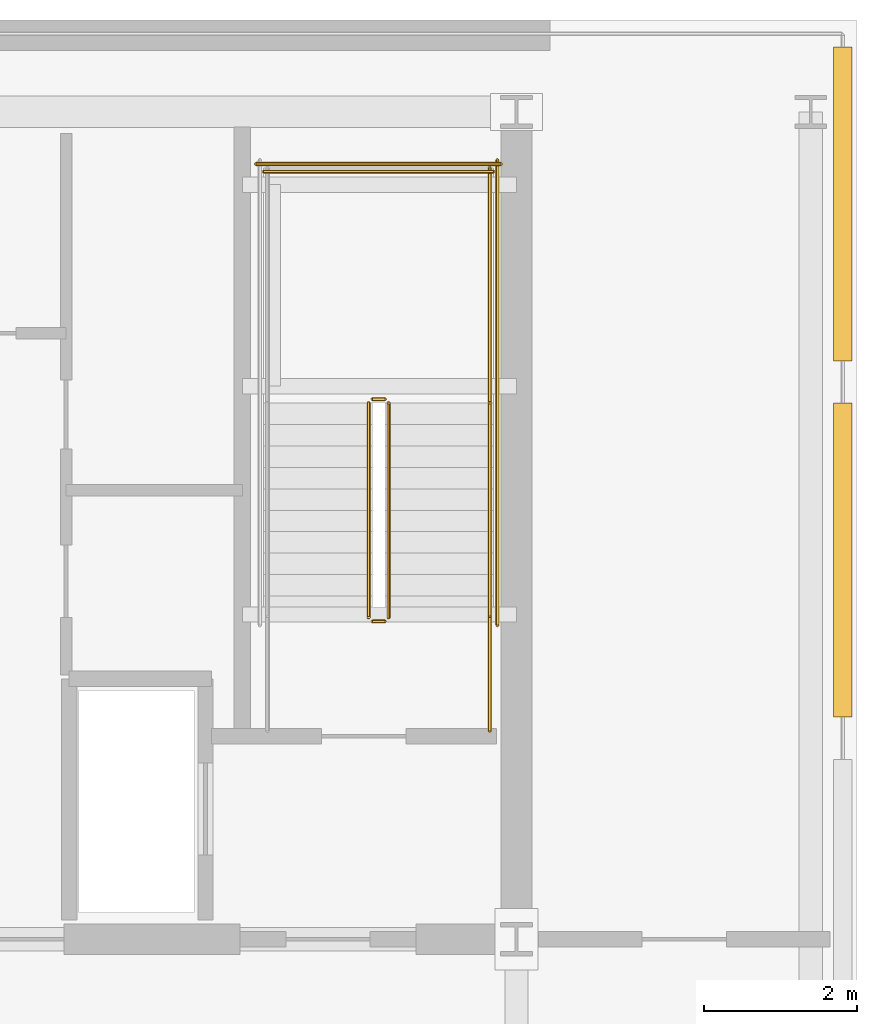
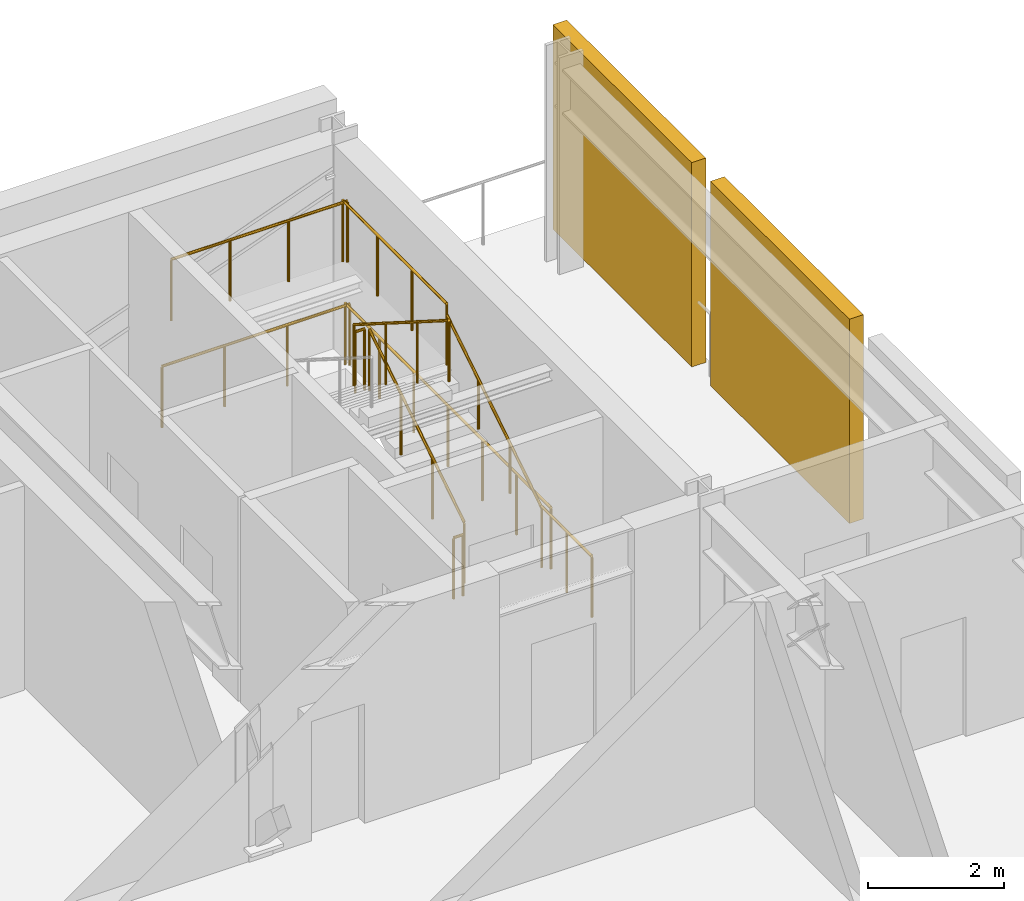
# One storey, part 8 of 8: 10 railings, 2 shading devices.
"""IFC4 building model written with IfcOpenShell, lengths in metres."""

from ifc_helpers import new_model, si_unit, direction, frame, origin, origin_2d, place, context, subcontext, project, spatial, rectangle, circle, extrude, material, layer, layer_set, type_object, element, save


model = new_model("IFC4")

# Units and contexts
model_context = context("Model", 3, precision=1e-05, world=origin(), true_north=direction((0.0, 1.0)))
body_context = subcontext(model_context, "Body", "Model", "MODEL_VIEW")
ifc_project = project(units=[si_unit("LENGTHUNIT", "METRE"), si_unit("AREAUNIT", "SQUARE_METRE"), si_unit("VOLUMEUNIT", "CUBIC_METRE"), si_unit("PLANEANGLEUNIT", "RADIAN"), si_unit("MASSUNIT", "GRAM", prefix="KILO")], contexts=[model_context])

# Site, building, storey
site_placement = place(None, origin())
site = spatial("IfcSite", under=ifc_project, at=site_placement, CompositionType="ELEMENT")
building_placement = place(site_placement, origin())
building = spatial("IfcBuilding", under=site, at=building_placement, Name="Yelkora Congress Tower", CompositionType="ELEMENT")
storey_placement = place(building_placement, frame((0.0, 0.0, 247.39990234375)))
storey = spatial("IfcBuildingStorey", under=building, at=storey_placement, Name="L69", CompositionType="ELEMENT", Elevation=247.39990234375)

# Railings
ifc_material_1 = material(Name="Painted galvanised steel stair well guard with vertical infill", Category="steel")
ifc_layer_1 = layer(ifc_material_1, 0.06005859375)
ifc_layer_set_1 = layer_set([ifc_layer_1], Name="Painted galvanised steel stair well guard with vertical infill")
railing_type_1 = type_object("IfcRailingType", Name="RAIL-STAIR-GUARD-1120", PredefinedType="GUARDRAIL", material=ifc_layer_set_1)
railing_1_placement = place(storey_placement, frame((52.090087890625, 39.60009765625, 0.177490234375)))
element("IfcRailing", 1, at=railing_1_placement, inside=storey, type_object=railing_type_1, Name="ST-02 L69 Stair Well Guardrail 1", PredefinedType="GUARDRAIL", context=body_context, shape_type="SweptSolid", body=[
    extrude(circle(Radius=0.02392578125, at=origin_2d()), frame((0.0, 0.0, 1.09619140625), z_axis=(0.0, 0.844887892834, 0.53494340686), x_axis=(-1.0, 0.0, 0.0)), (0.0, 0.0, 1.0), 3.313720703125),
    extrude(circle(Radius=0.02099609375, at=origin_2d()), origin(), (0.0, 0.0, 1.0), 1.072021484375),
    extrude(circle(Radius=0.02099609375, at=origin_2d()), frame((0.0, 0.933349609375, 0.5908203125)), (0.0, 0.0, 1.0), 1.072021484375),
    extrude(circle(Radius=0.02099609375, at=origin_2d()), frame((0.0, 1.866455078125, 1.181884765625)), (0.0, 0.0, 1.0), 1.072021484375),
    extrude(circle(Radius=0.02099609375, at=origin_2d()), frame((0.0, 2.7998046875, 1.772705078125)), (0.0, 0.0, 1.0), 1.072021484375),
])
railing_2_placement = place(storey_placement, frame((52.0400390625, 42.449951171875, 1.9501953125)))
element("IfcRailing", 2, at=railing_2_placement, inside=storey, type_object=railing_type_1, Name="ST-02 L69 Stair Well Guardrail 2", PredefinedType="GUARDRAIL", context=body_context, shape_type="SweptSolid", body=[
    extrude(circle(Radius=0.02392578125, at=origin_2d()), frame((0.0, 0.0, 1.09619140625), z_axis=(-1.0, 0.0, 0.0), x_axis=(0.0, -1.0, 0.0)), (0.0, 0.0, 1.0), 0.16015625),
    extrude(circle(Radius=0.02099609375, at=origin_2d()), origin(), (0.0, 0.0, 1.0), 1.072021484375),
    extrude(circle(Radius=0.02099609375, at=origin_2d()), frame((-0.16015625, 0.0, 0.0)), (0.0, 0.0, 1.0), 1.072021484375),
])
railing_3_placement = place(storey_placement, frame((53.409912109375, 42.39990234375, 1.9501953125)))
element("IfcRailing", 3, at=railing_3_placement, inside=storey, type_object=railing_type_1, Name="ST-02 L69 Stair Well Guardrail 3", PredefinedType="GUARDRAIL", context=body_context, shape_type="SweptSolid", body=[
    extrude(circle(Radius=0.02392578125, at=origin_2d()), frame((0.0, 0.0, 1.09619140625), z_axis=(0.0, 1.0, 0.0), x_axis=(-1.0, 0.0, 0.0)), (0.0, 0.0, 1.0), 3.070068359375),
    extrude(circle(Radius=0.02099609375, at=origin_2d()), origin(), (0.0, 0.0, 1.0), 1.072021484375),
    extrude(circle(Radius=0.02099609375, at=origin_2d()), frame((0.0, 1.0234375, 0.0)), (0.0, 0.0, 1.0), 1.072021484375),
    extrude(circle(Radius=0.02099609375, at=origin_2d()), frame((0.0, 2.046630859375, 0.0)), (0.0, 0.0, 1.0), 1.072021484375),
    extrude(circle(Radius=0.02099609375, at=origin_2d()), frame((0.0, 3.070068359375, 0.0)), (0.0, 0.0, 1.0), 1.072021484375),
])
railing_4_placement = place(storey_placement, frame((53.4599609375, 45.419921875, 1.9501953125)))
element("IfcRailing", 4, at=railing_4_placement, inside=storey, type_object=railing_type_1, Name="ST-02 L69 Stair Well Guardrail 5", PredefinedType="GUARDRAIL", context=body_context, shape_type="SweptSolid", body=[
    extrude(circle(Radius=0.02392578125, at=origin_2d()), frame((0.0, 0.0, 1.09619140625), z_axis=(-1.0, 0.0, 0.0), x_axis=(0.0, -1.0, 0.0)), (0.0, 0.0, 1.0), 3.0),
    extrude(circle(Radius=0.02099609375, at=origin_2d()), origin(), (0.0, 0.0, 1.0), 1.072021484375),
    extrude(circle(Radius=0.02099609375, at=origin_2d()), frame((-1.0, 0.0, 0.0)), (0.0, 0.0, 1.0), 1.072021484375),
    extrude(circle(Radius=0.02099609375, at=origin_2d()), frame((-2.0, 0.0, 0.0)), (0.0, 0.0, 1.0), 1.072021484375),
    extrude(circle(Radius=0.02099609375, at=origin_2d()), frame((-3.0, 0.0, 0.0)), (0.0, 0.0, 1.0), 1.072021484375),
])
railing_5_placement = place(storey_placement, frame((51.830078125, 42.39990234375, 2.12744140625)))
element("IfcRailing", 5, at=railing_5_placement, inside=storey, type_object=railing_type_1, Name="ST-02 L69 Stair Well Guardrail 6", PredefinedType="GUARDRAIL", context=body_context, shape_type="SweptSolid", body=[
    extrude(circle(Radius=0.02392578125, at=origin_2d()), frame((0.0, 0.0, 1.09619140625), z_axis=(0.0, -0.844887892834, 0.53494340686), x_axis=(1.0, 0.0, 0.0)), (0.0, 0.0, 1.0), 3.313720703125),
    extrude(circle(Radius=0.02099609375, at=origin_2d()), origin(), (0.0, 0.0, 1.0), 1.072021484375),
    extrude(circle(Radius=0.02099609375, at=origin_2d()), frame((0.0, -0.933349609375, 0.5908203125)), (0.0, 0.0, 1.0), 1.072021484375),
    extrude(circle(Radius=0.02099609375, at=origin_2d()), frame((0.0, -1.866455078125, 1.181884765625)), (0.0, 0.0, 1.0), 1.072021484375),
    extrude(circle(Radius=0.02099609375, at=origin_2d()), frame((0.0, -2.7998046875, 1.772705078125)), (0.0, 0.0, 1.0), 1.072021484375),
])
railing_6_placement = place(storey_placement, frame((52.0400390625, 39.550048828125, 0.0)))
element("IfcRailing", 6, at=railing_6_placement, inside=storey, type_object=railing_type_1, Name="ST-02 L69 Stair Well Guardrail 7", PredefinedType="GUARDRAIL", context=body_context, shape_type="SweptSolid", body=[
    extrude(circle(Radius=0.02392578125, at=origin_2d()), frame((0.0, 0.0, 1.09619140625), z_axis=(-1.0, 0.0, 0.0), x_axis=(0.0, -1.0, 0.0)), (0.0, 0.0, 1.0), 0.16015625),
    extrude(circle(Radius=0.02099609375, at=origin_2d()), origin(), (0.0, 0.0, 1.0), 1.072021484375),
    extrude(circle(Radius=0.02099609375, at=origin_2d()), frame((-0.16015625, 0.0, 0.0)), (0.0, 0.0, 1.0), 1.072021484375),
])
railing_7_placement = place(storey_placement, frame((53.409912109375, 38.1201171875, 0.0)))
element("IfcRailing", 7, at=railing_7_placement, inside=storey, type_object=railing_type_1, Name="ST-02 L69 Stair Well Guardrail 8", PredefinedType="GUARDRAIL", context=body_context, shape_type="SweptSolid", body=[
    extrude(circle(Radius=0.02392578125, at=origin_2d()), frame((0.0, 0.0, 1.09619140625), z_axis=(0.0, 1.0, 0.0), x_axis=(-1.0, 0.0, 0.0)), (0.0, 0.0, 1.0), 1.47998046875),
    extrude(circle(Radius=0.02099609375, at=origin_2d()), origin(), (0.0, 0.0, 1.0), 1.072021484375),
    extrude(circle(Radius=0.02099609375, at=origin_2d()), frame((0.0, 0.739990234375, 0.0)), (0.0, 0.0, 1.0), 1.072021484375),
    extrude(circle(Radius=0.02099609375, at=origin_2d()), frame((0.0, 1.47998046875, 0.0)), (0.0, 0.0, 1.0), 1.072021484375),
])
railing_8_placement = place(storey_placement, frame((53.510009765625, 39.5, 0.0)))
element("IfcRailing", 8, at=railing_8_placement, inside=storey, type_object=railing_type_1, Name="ST-02 L69 Stair Well Guardrail 10", PredefinedType="GUARDRAIL", context=body_context, shape_type="SweptSolid", body=[
    extrude(circle(Radius=0.02392578125, at=origin_2d()), frame((0.0, 0.0, 1.09619140625), z_axis=(0.0, 1.0, 0.0), x_axis=(-1.0, 0.0, 0.0)), (0.0, 0.0, 1.0), 6.070068359375),
    extrude(circle(Radius=0.02099609375, at=origin_2d()), origin(), (0.0, 0.0, 1.0), 1.072021484375),
    extrude(circle(Radius=0.02099609375, at=origin_2d()), frame((0.0, 1.01171875, 0.0)), (0.0, 0.0, 1.0), 1.072021484375),
    extrude(circle(Radius=0.02099609375, at=origin_2d()), frame((0.0, 2.0234375, 0.0)), (0.0, 0.0, 1.0), 1.072021484375),
    extrude(circle(Radius=0.02099609375, at=origin_2d()), frame((0.0, 3.03515625, 0.0)), (0.0, 0.0, 1.0), 1.072021484375),
    extrude(circle(Radius=0.02099609375, at=origin_2d()), frame((0.0, 4.046630859375, 0.0)), (0.0, 0.0, 1.0), 1.072021484375),
    extrude(circle(Radius=0.02099609375, at=origin_2d()), frame((0.0, 5.058349609375, 0.0)), (0.0, 0.0, 1.0), 1.072021484375),
    extrude(circle(Radius=0.02099609375, at=origin_2d()), frame((0.0, 6.070068359375, 0.0)), (0.0, 0.0, 1.0), 1.072021484375),
])
railing_9_placement = place(storey_placement, frame((53.56005859375, 45.52001953125, 0.0)))
element("IfcRailing", 9, at=railing_9_placement, inside=storey, type_object=railing_type_1, Name="ST-02 L69 Stair Well Guardrail 12", PredefinedType="GUARDRAIL", context=body_context, shape_type="SweptSolid", body=[
    extrude(circle(Radius=0.02392578125, at=origin_2d()), frame((0.0, 0.0, 1.09619140625), z_axis=(-1.0, 0.0, 0.0), x_axis=(0.0, -1.0, 0.0)), (0.0, 0.0, 1.0), 3.199951171875),
    extrude(circle(Radius=0.02099609375, at=origin_2d()), origin(), (0.0, 0.0, 1.0), 1.072021484375),
    extrude(circle(Radius=0.02099609375, at=origin_2d()), frame((-1.066650390625, 0.0, 0.0)), (0.0, 0.0, 1.0), 1.072021484375),
    extrude(circle(Radius=0.02099609375, at=origin_2d()), frame((-2.13330078125, 0.0, 0.0)), (0.0, 0.0, 1.0), 1.072021484375),
    extrude(circle(Radius=0.02099609375, at=origin_2d()), frame((-3.199951171875, 0.0, 0.0)), (0.0, 0.0, 1.0), 1.072021484375),
])
ifc_material_2 = material(Name="Brushed stainless steel tubular handrail", Category="steel")
ifc_layer_2 = layer(ifc_material_2, 0.050048828125)
ifc_layer_set_2 = layer_set([ifc_layer_2], Name="Brushed stainless steel tubular handrail")
railing_type_2 = type_object("IfcRailingType", Name="RAIL-STAIR-HAND-920", PredefinedType="HANDRAIL", material=ifc_layer_set_2)
railing_10_placement = place(storey_placement, frame((53.409912109375, 39.60009765625, 0.177490234375)))
element("IfcRailing", 10, at=railing_10_placement, inside=storey, type_object=railing_type_2, Name="ST-02 L69 Pitch Handrail 1", PredefinedType="HANDRAIL", context=body_context, shape_type="SweptSolid", body=[
    extrude(circle(Radius=0.02392578125, at=origin_2d()), frame((0.0, 0.0, 0.89599609375), z_axis=(0.0, 0.844887892834, 0.53494340686), x_axis=(-1.0, 0.0, 0.0)), (0.0, 0.0, 1.0), 3.313720703125),
    extrude(circle(Radius=0.02099609375, at=origin_2d()), origin(), (0.0, 0.0, 1.0), 0.871826171875),
    extrude(circle(Radius=0.02099609375, at=origin_2d()), frame((0.0, 0.933349609375, 0.5908203125)), (0.0, 0.0, 1.0), 0.871826171875),
    extrude(circle(Radius=0.02099609375, at=origin_2d()), frame((0.0, 1.866455078125, 1.181884765625)), (0.0, 0.0, 1.0), 0.871826171875),
    extrude(circle(Radius=0.02099609375, at=origin_2d()), frame((0.0, 2.7998046875, 1.772705078125)), (0.0, 0.0, 1.0), 0.871826171875),
])

# Shading devices
ifc_material_3 = material(Name="Perforated anodised aluminium louvre", Category="aluminium")
ifc_layer_3 = layer(ifc_material_3, 3.39990234375)
ifc_layer_set_3 = layer_set([ifc_layer_3], Name="Perforated anodised aluminium louvre")
shading_device_type = type_object("IfcShadingDeviceType", Name="SHD-LOUVRE-WIND", PredefinedType="JALOUSIE", material=ifc_layer_set_3)
for number, where, z_axis, x_axis, name in (
    (11, (58.02001953125, 40.35009765625, 0.0), (0.0, 0.0, 1.0), (1.0, 0.0, 0.0), "L69 Acoustic Wind-Floor Louvre Screen E4"),
    (12, (58.02001953125, 45.0, 0.0), (0.0, 0.0, 1.0), (1.0, 0.0, 0.0), "L69 Acoustic Wind-Floor Louvre Screen E5"),
):
    element("IfcShadingDevice", number, at=place(storey_placement, frame(where, z_axis=z_axis, x_axis=x_axis)), inside=storey, type_object=shading_device_type, Name=name, PredefinedType="JALOUSIE", context=body_context, shape_type="SweptSolid", body=[
        extrude(rectangle(XDim=0.239990234375, YDim=4.10009765625, at=origin_2d()), origin(), (0.0, 0.0, 1.0), 3.679931640625),
    ])

save(model, "model.ifc")
